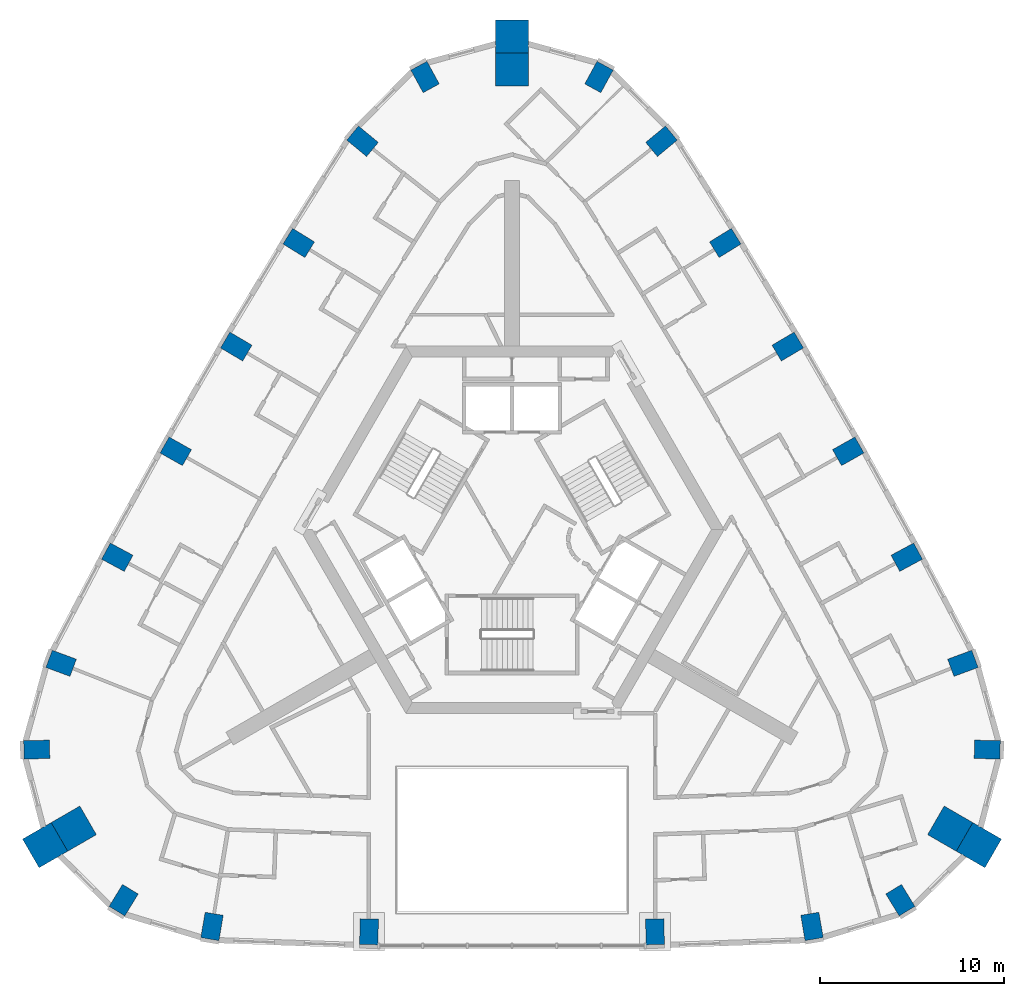
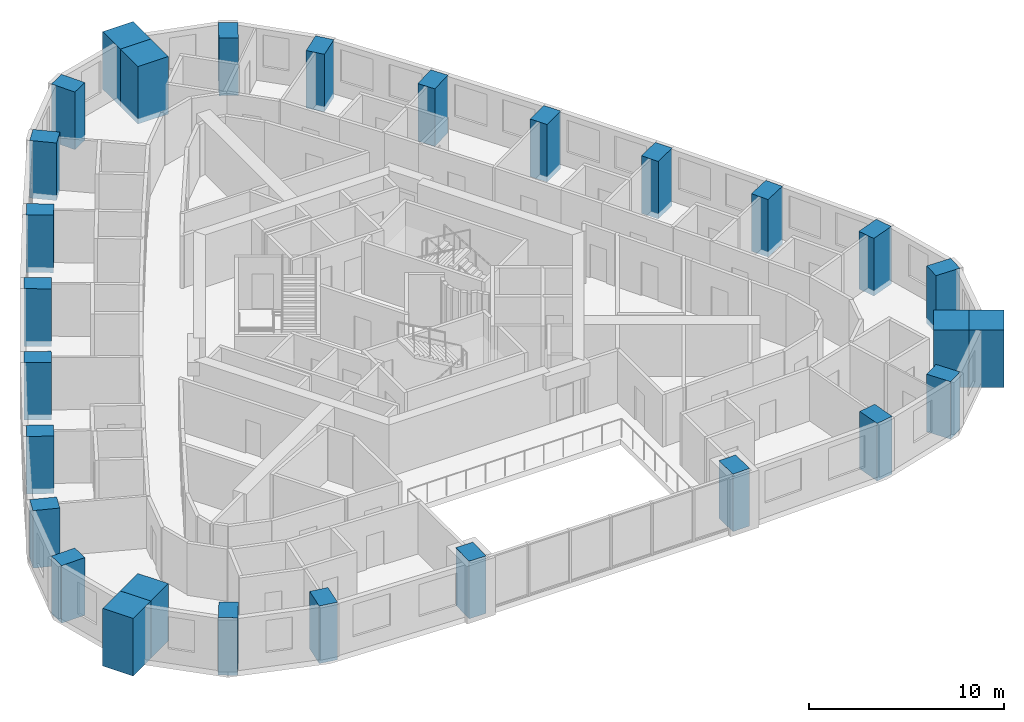
# One storey, part 1 of 12: 28 columns.
"""IFC4 building model written with IfcOpenShell, lengths in metres."""

from ifc_helpers import new_model, si_unit, direction, frame, origin, origin_2d, place, context, subcontext, project, spatial, rectangle, extrude, material, material_profile, profile_set, type_object, element, save


model = new_model("IFC4")

# Units and contexts
model_context = context("Model", 3, precision=1e-05, world=origin(), true_north=direction((0.0, 1.0)))
body_context = subcontext(model_context, "Body", "Model", "MODEL_VIEW")
ifc_project = project(units=[si_unit("LENGTHUNIT", "METRE"), si_unit("AREAUNIT", "SQUARE_METRE"), si_unit("VOLUMEUNIT", "CUBIC_METRE"), si_unit("PLANEANGLEUNIT", "RADIAN"), si_unit("MASSUNIT", "GRAM", prefix="KILO")], contexts=[model_context])

# Site, building, storey
site_placement = place(None, origin())
site = spatial("IfcSite", under=ifc_project, at=site_placement, CompositionType="ELEMENT")
building_placement = place(site_placement, origin())
building = spatial("IfcBuilding", under=site, at=building_placement, Name="Entoto Arch Interchange Tower", CompositionType="ELEMENT")
storey_placement = place(building_placement, frame((0.0, 0.0, 255.800048828125)))
storey = spatial("IfcBuildingStorey", under=building, at=storey_placement, Name="L58", CompositionType="ELEMENT", Elevation=255.800048828125)

# Columns
ifc_material_1 = material(Name="Concrete C40/50", Category="concrete")
ifc_material_profile_1 = material_profile(ifc_material_1, rectangle(XDim=1.0, YDim=1.39990234375, at=origin_2d()))
ifc_profile_set_1 = profile_set([ifc_material_profile_1], Name="Concrete C40/50")
column_type_1 = type_object("IfcColumnType", Name="Column RC 1000x1400 C40/50", PredefinedType="COLUMN", material=ifc_profile_set_1)
for number, where, z_axis, x_axis, name in (
    (1, (-16.330078125, -19.09912109375, -0.340087890625), (0.0, 0.0, 1.0), (-0.985952343326, 0.167026874157, 0.0), "Column S01 L58"),
    (2, (-7.783935546875, -19.388916015625, -0.340087890625), (0.0, 0.0, 1.0), (-0.999832723398, 0.018290030661, 0.0), "Column S02 L58"),
    (3, (7.783935546875, -19.388916015625, -0.340087890625), (0.0, 0.0, 1.0), (0.999832723398, 0.018290030661, 0.0), "Column S03 L58"),
    (4, (16.330078125, -19.09912109375, -0.340087890625), (0.0, 0.0, 1.0), (0.985952343326, 0.167026874157, 0.0), "Column S04 L58"),
    (5, (21.139892578125, -17.669921875, -0.340087890625), (0.0, 0.0, 1.0), (0.853341581839, 0.521352227103, 0.0), "Column SE1 L58"),
    (6, (25.8720703125, -9.471923828125, -0.340087890625), (0.0, 0.0, 1.0), (0.024833482072, 0.999691601529, 0.0), "Column SE3 L58"),
    (7, (24.544921875, -4.77490234375, -0.340087890625), (0.0, 0.0, 1.0), (-0.346853804003, 0.937919206888, 0.0), "Column NE01 L58"),
    (8, (21.488037109375, 1.0009765625, -0.340087890625), (0.0, 0.0, 1.0), (-0.473980634908, 0.880535267739, 0.0), "Column NE02 L58"),
    (9, (18.303955078125, 6.76611328125, -0.340087890625), (0.0, 0.0, 1.0), (-0.491375053773, 0.870948079124, 0.0), "Column NE03 L58"),
    (10, (15.010986328125, 12.468017578125, -0.340087890625), (0.0, 0.0, 1.0), (-0.508575635012, 0.861017318916, 0.0), "Column NE04 L58"),
    (11, (11.610107421875, 18.10888671875, -0.340087890625), (0.0, 0.0, 1.0), (-0.525575593337, 0.850746904601, 0.0), "Column NE05 L58"),
    (12, (8.136962890625, 23.64501953125, -0.340087890625), (0.0, 0.0, 1.0), (-0.638834957861, 0.769343809109, 0.0), "Column NE06 L58"),
    (13, (4.73291015625, 27.14306640625, -0.340087890625), (0.0, 0.0, 1.0), (-0.87817506391, 0.478339374426, 0.0), "Column N1 L58"),
    (14, (-4.73291015625, 27.14306640625, -0.340087890625), (0.0, 0.0, 1.0), (0.87817506391, 0.478339374426, 0.0), "Column N3 L58"),
    (15, (-8.136962890625, 23.64501953125, -0.340087890625), (0.0, 0.0, 1.0), (0.638834957861, 0.769343809109, 0.0), "Column NW01 L58"),
    (16, (-11.610107421875, 18.10888671875, -0.340087890625), (0.0, 0.0, 1.0), (0.525575593337, 0.850746904601, 0.0), "Column NW02 L58"),
    (17, (-15.010986328125, 12.468017578125, -0.340087890625), (0.0, 0.0, 1.0), (0.508575635012, 0.861017318916, 0.0), "Column NW03 L58"),
    (18, (-18.303955078125, 6.76611328125, -0.340087890625), (0.0, 0.0, 1.0), (0.491375053773, 0.870948079124, 0.0), "Column NW04 L58"),
    (19, (-21.488037109375, 1.0009765625, -0.340087890625), (0.0, 0.0, 1.0), (0.473980634908, 0.880535267739, 0.0), "Column NW05 L58"),
    (20, (-24.544921875, -4.77490234375, -0.340087890625), (0.0, 0.0, 1.0), (0.346853804003, 0.937919206888, 0.0), "Column NW06 L58"),
    (21, (-25.8720703125, -9.471923828125, -0.340087890625), (0.0, 0.0, 1.0), (-0.024833482072, 0.999691601529, 0.0), "Column SW1 L58"),
    (22, (-21.139892578125, -17.669921875, -0.340087890625), (0.0, 0.0, 1.0), (-0.853341581839, 0.521352227103, 0.0), "Column SW3 L58"),
):
    element("IfcColumn", number, at=place(storey_placement, frame(where, z_axis=z_axis, x_axis=x_axis)), inside=storey, type_object=column_type_1, Name=name, PredefinedType="COLUMN", context=body_context, shape_type="SweptSolid", body=[
        extrude(rectangle(XDim=1.0, YDim=1.39990234375, at=origin_2d()), origin(), (0.0, 0.0, 1.0), 3.60009765625),
    ])
ifc_material_2 = material(Name="Precast concrete C40/50", Category="concrete")
ifc_material_profile_2 = material_profile(ifc_material_2, rectangle(XDim=1.800048828125, YDim=1.800048828125, at=origin_2d()))
ifc_profile_set_2 = profile_set([ifc_material_profile_2], Name="Precast concrete C40/50")
column_type_2 = type_object("IfcColumnType", Name="Frame post RC 1800x1800 precast C40/50", PredefinedType="COLUMN", material=ifc_profile_set_2)
for number, where, z_axis, x_axis, name in (
    (23, (25.4150390625, -14.674072265625, -0.340087890625), (0.0, 0.0, 1.0), (-0.866025403784, 0.5, 0.0), "Frame post SE L58"),
    (24, (0.0, 29.346923828125, -0.340087890625), (0.0, 0.0, 1.0), (0.0, 1.0, 0.0), "Frame post N L58"),
    (25, (-25.4150390625, -14.674072265625, -0.340087890625), (0.0, 0.0, 1.0), (0.866025403784, 0.5, 0.0), "Frame post SW L58"),
):
    element("IfcColumn", number, at=place(storey_placement, frame(where, z_axis=z_axis, x_axis=x_axis)), inside=storey, type_object=column_type_2, Name=name, PredefinedType="COLUMN", context=body_context, shape_type="SweptSolid", body=[
        extrude(rectangle(XDim=1.800048828125, YDim=1.800048828125, at=origin_2d()), origin(), (0.0, 0.0, 1.0), 3.60009765625),
    ])
ifc_material_profile_3 = material_profile(ifc_material_1, rectangle(XDim=1.800048828125, YDim=1.800048828125, at=origin_2d()))
ifc_profile_set_3 = profile_set([ifc_material_profile_3], Name="Concrete C40/50")
column_type_3 = type_object("IfcColumnType", Name="Mega column RC 1800x1800 C40/50", PredefinedType="COLUMN", material=ifc_profile_set_3)
for number, where, z_axis, x_axis, name in (
    (26, (23.85595703125, -13.77392578125, -0.340087890625), (0.0, 0.0, 1.0), (-0.866025403784, 0.5, 0.0), "Corner mega column SE2 L58"),
    (27, (0.0, 27.547119140625, -0.340087890625), (0.0, 0.0, 1.0), (0.0, 1.0, 0.0), "Corner mega column N2 L58"),
    (28, (-23.85595703125, -13.77392578125, -0.340087890625), (0.0, 0.0, 1.0), (0.866025403784, 0.5, 0.0), "Corner mega column SW2 L58"),
):
    element("IfcColumn", number, at=place(storey_placement, frame(where, z_axis=z_axis, x_axis=x_axis)), inside=storey, type_object=column_type_3, Name=name, PredefinedType="COLUMN", context=body_context, shape_type="SweptSolid", body=[
        extrude(rectangle(XDim=1.800048828125, YDim=1.800048828125, at=origin_2d()), origin(), (0.0, 0.0, 1.0), 3.60009765625),
    ])

save(model, "model.ifc")
